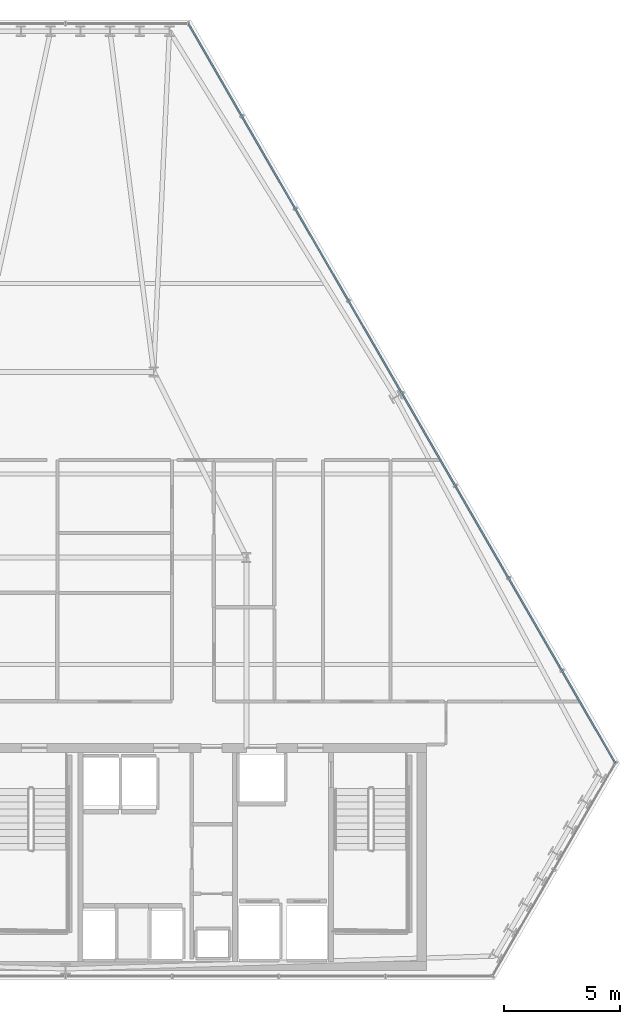
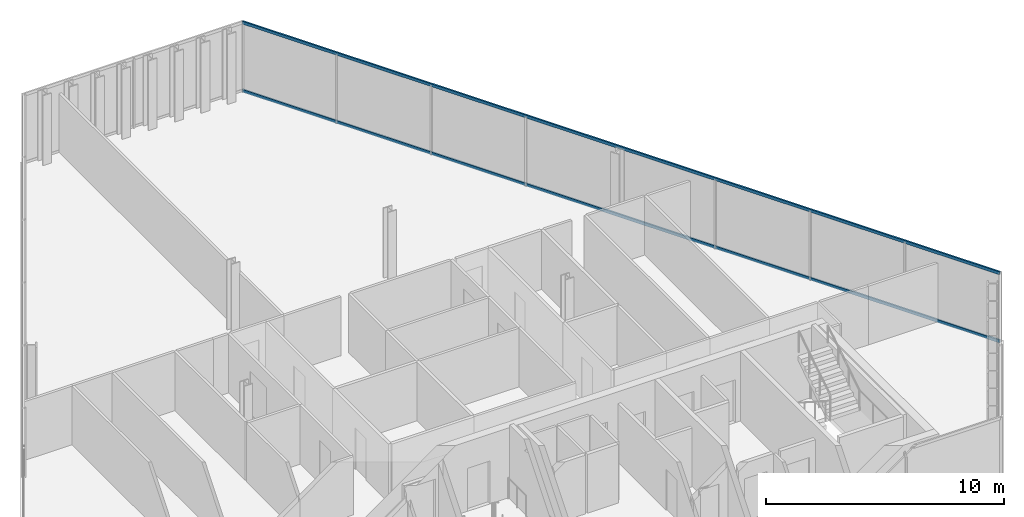
# One storey, part 19 of 33: 2 members, 1 element without a shape of its own.
"""IFC4 building model written with IfcOpenShell, lengths in metres."""

from ifc_helpers import new_model, si_unit, direction, frame, origin, origin_2d, place, context, subcontext, project, spatial, hollow_rectangle, extrude, material, layer, layer_set, material_profile, profile_set, type_object, element, aggregate, save


model = new_model("IFC4")

# Units and contexts
model_context = context("Model", 3, precision=1e-05, world=origin(), true_north=direction((0.0, 1.0)))
body_context = subcontext(model_context, "Body", "Model", "MODEL_VIEW")
ifc_project = project(units=[si_unit("LENGTHUNIT", "METRE"), si_unit("AREAUNIT", "SQUARE_METRE"), si_unit("VOLUMEUNIT", "CUBIC_METRE"), si_unit("PLANEANGLEUNIT", "RADIAN"), si_unit("MASSUNIT", "GRAM", prefix="KILO")], contexts=[model_context])

# Site, building, storey
site_placement = place(None, origin())
site = spatial("IfcSite", under=ifc_project, at=site_placement, CompositionType="ELEMENT")
building_placement = place(site_placement, origin())
building = spatial("IfcBuilding", under=site, at=building_placement, Name="Ndaravel Arena Tower", CompositionType="ELEMENT")
storey_placement = place(building_placement, frame((0.0, 0.0, 165.0)))
storey = spatial("IfcBuildingStorey", under=building, at=storey_placement, Name="L39", CompositionType="ELEMENT", Elevation=165.0)

# Curtain wall, members
ifc_material_1 = material(Name="Aluminium", Category="aluminium")
ifc_layer = layer(ifc_material_1, 0.179931640625)
ifc_layer_set = layer_set([ifc_layer], Name="Aluminium")
curtain_wall_type = type_object("IfcCurtainWallType", Name="CW-SYS-03", PredefinedType="NOTDEFINED", material=ifc_layer_set)
curtain_wall_placement = place(storey_placement, origin())
curtain_wall = element("IfcCurtainWall", 1, at=curtain_wall_placement, inside=storey, type_object=curtain_wall_type, Name="L39 Faceted Crystal Curtain Wall CW-L39-E03", PredefinedType="NOTDEFINED")
ifc_material_2 = material(Name="Aluminium", Category="aluminium")
ifc_material_profile = material_profile(ifc_material_2, hollow_rectangle(XDim=0.074951171875, YDim=0.14990234375, WallThickness=0.00390625, at=origin_2d()), Name="CW TRANSOM 75x150x4")
ifc_profile_set = profile_set([ifc_material_profile], Name="Aluminium")
member_type = type_object("IfcMemberType", Name="MEM-CW-TRN150", PredefinedType="USERDEFINED", material=ifc_profile_set)
member_1_placement = place(storey_placement, frame((65.6953125, 14.348388671875, 0.0400390625), z_axis=(-0.499997675288, 0.866026745954, 0.0), x_axis=(-0.866026745954, -0.499997675288, 0.0)))
member_1 = element("IfcMember", 2, at=member_1_placement, type_object=member_type, Name="CW-L39-E03 Transom 01", ObjectType="TRANSOM", PredefinedType="USERDEFINED", context=body_context, shape_type="SweptSolid", body=[
    extrude(hollow_rectangle(XDim=0.074951171875, YDim=0.14990234375, WallThickness=0.00390625, at=origin_2d()), origin(), (0.0, 0.0, 1.0), 36.781005859375),
])
member_2_placement = place(storey_placement, frame((65.6953125, 14.348388671875, 3.5400390625), z_axis=(-0.499997675288, 0.866026745954, 0.0), x_axis=(-0.866026745954, -0.499997675288, 0.0)))
member_2 = element("IfcMember", 3, at=member_2_placement, type_object=member_type, Name="CW-L39-E03 Transom 02", ObjectType="TRANSOM", PredefinedType="USERDEFINED", context=body_context, shape_type="SweptSolid", body=[
    extrude(hollow_rectangle(XDim=0.074951171875, YDim=0.14990234375, WallThickness=0.00390625, at=origin_2d()), origin(), (0.0, 0.0, 1.0), 36.781005859375),
])
aggregate(curtain_wall, [member_1, member_2])

save(model, "model.ifc")
